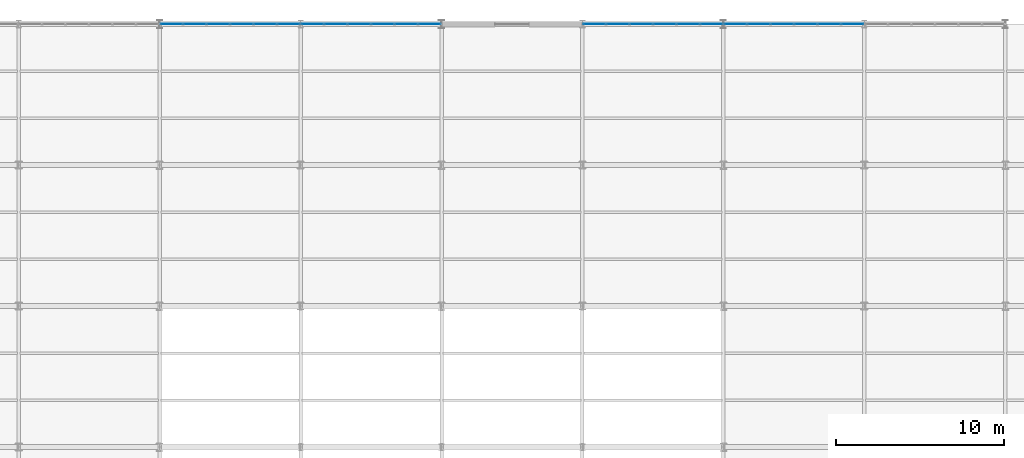
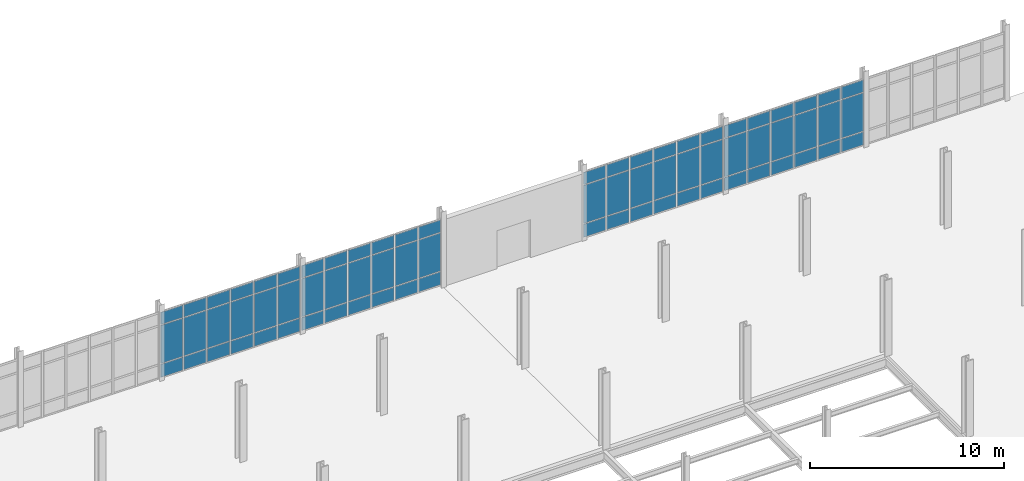
# One storey, part 118 of 145: 72 plates, 4 elements without a shape of their own.
"""IFC4 building model written with IfcOpenShell, lengths in metres."""

from ifc_helpers import new_model, si_unit, direction, frame, origin, origin_2d, place, context, subcontext, project, spatial, rectangle, extrude, material, layer, layer_set, type_object, element, aggregate, save


model = new_model("IFC4")

# Units and contexts
model_context = context("Model", 3, precision=1e-05, world=origin(), true_north=direction((0.0, 1.0)))
body_context = subcontext(model_context, "Body", "Model", "MODEL_VIEW")
ifc_project = project(units=[si_unit("LENGTHUNIT", "METRE"), si_unit("AREAUNIT", "SQUARE_METRE"), si_unit("VOLUMEUNIT", "CUBIC_METRE"), si_unit("PLANEANGLEUNIT", "RADIAN"), si_unit("MASSUNIT", "GRAM", prefix="KILO")], contexts=[model_context])

# Site, building, storey
site_placement = place(None, origin())
site = spatial("IfcSite", under=ifc_project, at=site_placement, CompositionType="ELEMENT")
building_placement = place(site_placement, origin())
building = spatial("IfcBuilding", under=site, at=building_placement, Name="Qalvenar Corner Mobility Hub", CompositionType="ELEMENT")
storey_placement = place(building_placement, origin())
storey = spatial("IfcBuildingStorey", under=building, at=storey_placement, Name="L00", CompositionType="ELEMENT", Elevation=0.0)

# Curtain wall, plates
ifc_material_1 = material(Name="Anodised Aluminium and Low-E Glazing", Category="aluminium")
ifc_layer_1 = layer(ifc_material_1, 0.14990234375)
ifc_layer_set_1 = layer_set([ifc_layer_1], Name="Anodised Aluminium and Low-E Glazing")
curtain_wall_type = type_object("IfcCurtainWallType", Name="CW-MOB-84X46", PredefinedType="NOTDEFINED", material=ifc_layer_set_1)
curtain_wall_1_placement = place(storey_placement, origin())
curtain_wall_1 = element("IfcCurtainWall", 1, at=curtain_wall_1_placement, inside=storey, type_object=curtain_wall_type, Name="Glazed Curtain Wall CW-V4-L00-N3", PredefinedType="NOTDEFINED")
ifc_material_2 = material(Name="Solar-Control Low-E Double Glazing", Category="glass")
ifc_layer_2 = layer(ifc_material_2, 0.028076171875)
ifc_layer_set_2 = layer_set([ifc_layer_2], Name="Solar-Control Low-E Double Glazing")
plate_type = type_object("IfcPlateType", Name="PLT-CWP-GLZ1", PredefinedType="CURTAIN_PANEL", material=ifc_layer_set_2)
plate_1_placement = place(storey_placement, frame((91.68505859375, 117.60009765625, 0.05517578125), z_axis=(0.0, 0.0, 1.0), x_axis=(-1.0, 0.0, 0.0)))
plate_1 = element("IfcPlate", 2, at=plate_1_placement, type_object=plate_type, Name="CW-03 panel 1.1", PredefinedType="CURTAIN_PANEL", context=body_context, shape_type="SweptSolid", body=[
    extrude(rectangle(XDim=1.31005859375, YDim=0.028076171875, at=origin_2d()), origin(), (0.0, 0.0, 1.0), 0.8173828125),
])
plate_2_placement = place(storey_placement, frame((91.68505859375, 117.60009765625, 0.927490234375), z_axis=(0.0, 0.0, 1.0), x_axis=(-1.0, 0.0, 0.0)))
plate_2 = element("IfcPlate", 3, at=plate_2_placement, type_object=plate_type, Name="CW-03 panel 1.2", PredefinedType="CURTAIN_PANEL", context=body_context, shape_type="SweptSolid", body=[
    extrude(rectangle(XDim=1.31005859375, YDim=0.028076171875, at=origin_2d()), origin(), (0.0, 0.0, 1.0), 2.39501953125),
])
plate_3_placement = place(storey_placement, frame((91.68505859375, 117.60009765625, 3.37744140625), z_axis=(0.0, 0.0, 1.0), x_axis=(-1.0, 0.0, 0.0)))
plate_3 = element("IfcPlate", 4, at=plate_3_placement, type_object=plate_type, Name="CW-03 panel 1.3", PredefinedType="CURTAIN_PANEL", context=body_context, shape_type="SweptSolid", body=[
    extrude(rectangle(XDim=1.31005859375, YDim=0.028076171875, at=origin_2d()), origin(), (0.0, 0.0, 1.0), 0.767578125),
])
plate_4_placement = place(storey_placement, frame((90.300048828125, 117.60009765625, 0.05517578125), z_axis=(0.0, 0.0, 1.0), x_axis=(-1.0, 0.0, 0.0)))
plate_4 = element("IfcPlate", 5, at=plate_4_placement, type_object=plate_type, Name="CW-03 panel 2.1", PredefinedType="CURTAIN_PANEL", context=body_context, shape_type="SweptSolid", body=[
    extrude(rectangle(XDim=1.340087890625, YDim=0.028076171875, at=origin_2d()), origin(), (0.0, 0.0, 1.0), 0.8173828125),
])
plate_5_placement = place(storey_placement, frame((90.300048828125, 117.60009765625, 0.927490234375), z_axis=(0.0, 0.0, 1.0), x_axis=(-1.0, 0.0, 0.0)))
plate_5 = element("IfcPlate", 6, at=plate_5_placement, type_object=plate_type, Name="CW-03 panel 2.2", PredefinedType="CURTAIN_PANEL", context=body_context, shape_type="SweptSolid", body=[
    extrude(rectangle(XDim=1.340087890625, YDim=0.028076171875, at=origin_2d()), origin(), (0.0, 0.0, 1.0), 2.39501953125),
])
plate_6_placement = place(storey_placement, frame((90.300048828125, 117.60009765625, 3.37744140625), z_axis=(0.0, 0.0, 1.0), x_axis=(-1.0, 0.0, 0.0)))
plate_6 = element("IfcPlate", 7, at=plate_6_placement, type_object=plate_type, Name="CW-03 panel 2.3", PredefinedType="CURTAIN_PANEL", context=body_context, shape_type="SweptSolid", body=[
    extrude(rectangle(XDim=1.340087890625, YDim=0.028076171875, at=origin_2d()), origin(), (0.0, 0.0, 1.0), 0.767578125),
])
plate_7_placement = place(storey_placement, frame((88.89990234375, 117.60009765625, 0.05517578125), z_axis=(0.0, 0.0, 1.0), x_axis=(-1.0, 0.0, 0.0)))
plate_7 = element("IfcPlate", 8, at=plate_7_placement, type_object=plate_type, Name="CW-03 panel 3.1", PredefinedType="CURTAIN_PANEL", context=body_context, shape_type="SweptSolid", body=[
    extrude(rectangle(XDim=1.340087890625, YDim=0.028076171875, at=origin_2d()), origin(), (0.0, 0.0, 1.0), 0.8173828125),
])
plate_8_placement = place(storey_placement, frame((88.89990234375, 117.60009765625, 0.927490234375), z_axis=(0.0, 0.0, 1.0), x_axis=(-1.0, 0.0, 0.0)))
plate_8 = element("IfcPlate", 9, at=plate_8_placement, type_object=plate_type, Name="CW-03 panel 3.2", PredefinedType="CURTAIN_PANEL", context=body_context, shape_type="SweptSolid", body=[
    extrude(rectangle(XDim=1.340087890625, YDim=0.028076171875, at=origin_2d()), origin(), (0.0, 0.0, 1.0), 2.39501953125),
])
plate_9_placement = place(storey_placement, frame((88.89990234375, 117.60009765625, 3.37744140625), z_axis=(0.0, 0.0, 1.0), x_axis=(-1.0, 0.0, 0.0)))
plate_9 = element("IfcPlate", 10, at=plate_9_placement, type_object=plate_type, Name="CW-03 panel 3.3", PredefinedType="CURTAIN_PANEL", context=body_context, shape_type="SweptSolid", body=[
    extrude(rectangle(XDim=1.340087890625, YDim=0.028076171875, at=origin_2d()), origin(), (0.0, 0.0, 1.0), 0.767578125),
])
plate_10_placement = place(storey_placement, frame((87.5, 117.60009765625, 0.05517578125), z_axis=(0.0, 0.0, 1.0), x_axis=(-1.0, 0.0, 0.0)))
plate_10 = element("IfcPlate", 11, at=plate_10_placement, type_object=plate_type, Name="CW-03 panel 4.1", PredefinedType="CURTAIN_PANEL", context=body_context, shape_type="SweptSolid", body=[
    extrude(rectangle(XDim=1.340087890625, YDim=0.028076171875, at=origin_2d()), origin(), (0.0, 0.0, 1.0), 0.8173828125),
])
plate_11_placement = place(storey_placement, frame((87.5, 117.60009765625, 0.927490234375), z_axis=(0.0, 0.0, 1.0), x_axis=(-1.0, 0.0, 0.0)))
plate_11 = element("IfcPlate", 12, at=plate_11_placement, type_object=plate_type, Name="CW-03 panel 4.2", PredefinedType="CURTAIN_PANEL", context=body_context, shape_type="SweptSolid", body=[
    extrude(rectangle(XDim=1.340087890625, YDim=0.028076171875, at=origin_2d()), origin(), (0.0, 0.0, 1.0), 2.39501953125),
])
plate_12_placement = place(storey_placement, frame((87.5, 117.60009765625, 3.37744140625), z_axis=(0.0, 0.0, 1.0), x_axis=(-1.0, 0.0, 0.0)))
plate_12 = element("IfcPlate", 13, at=plate_12_placement, type_object=plate_type, Name="CW-03 panel 4.3", PredefinedType="CURTAIN_PANEL", context=body_context, shape_type="SweptSolid", body=[
    extrude(rectangle(XDim=1.340087890625, YDim=0.028076171875, at=origin_2d()), origin(), (0.0, 0.0, 1.0), 0.767578125),
])
plate_13_placement = place(storey_placement, frame((86.10009765625, 117.60009765625, 0.05517578125), z_axis=(0.0, 0.0, 1.0), x_axis=(-1.0, 0.0, 0.0)))
plate_13 = element("IfcPlate", 14, at=plate_13_placement, type_object=plate_type, Name="CW-03 panel 5.1", PredefinedType="CURTAIN_PANEL", context=body_context, shape_type="SweptSolid", body=[
    extrude(rectangle(XDim=1.340087890625, YDim=0.028076171875, at=origin_2d()), origin(), (0.0, 0.0, 1.0), 0.8173828125),
])
plate_14_placement = place(storey_placement, frame((86.10009765625, 117.60009765625, 0.927490234375), z_axis=(0.0, 0.0, 1.0), x_axis=(-1.0, 0.0, 0.0)))
plate_14 = element("IfcPlate", 15, at=plate_14_placement, type_object=plate_type, Name="CW-03 panel 5.2", PredefinedType="CURTAIN_PANEL", context=body_context, shape_type="SweptSolid", body=[
    extrude(rectangle(XDim=1.340087890625, YDim=0.028076171875, at=origin_2d()), origin(), (0.0, 0.0, 1.0), 2.39501953125),
])
plate_15_placement = place(storey_placement, frame((86.10009765625, 117.60009765625, 3.37744140625), z_axis=(0.0, 0.0, 1.0), x_axis=(-1.0, 0.0, 0.0)))
plate_15 = element("IfcPlate", 16, at=plate_15_placement, type_object=plate_type, Name="CW-03 panel 5.3", PredefinedType="CURTAIN_PANEL", context=body_context, shape_type="SweptSolid", body=[
    extrude(rectangle(XDim=1.340087890625, YDim=0.028076171875, at=origin_2d()), origin(), (0.0, 0.0, 1.0), 0.767578125),
])
plate_16_placement = place(storey_placement, frame((84.715087890625, 117.60009765625, 0.05517578125), z_axis=(0.0, 0.0, 1.0), x_axis=(-1.0, 0.0, 0.0)))
plate_16 = element("IfcPlate", 17, at=plate_16_placement, type_object=plate_type, Name="CW-03 panel 6.1", PredefinedType="CURTAIN_PANEL", context=body_context, shape_type="SweptSolid", body=[
    extrude(rectangle(XDim=1.31005859375, YDim=0.028076171875, at=origin_2d()), origin(), (0.0, 0.0, 1.0), 0.8173828125),
])
plate_17_placement = place(storey_placement, frame((84.715087890625, 117.60009765625, 0.927490234375), z_axis=(0.0, 0.0, 1.0), x_axis=(-1.0, 0.0, 0.0)))
plate_17 = element("IfcPlate", 18, at=plate_17_placement, type_object=plate_type, Name="CW-03 panel 6.2", PredefinedType="CURTAIN_PANEL", context=body_context, shape_type="SweptSolid", body=[
    extrude(rectangle(XDim=1.31005859375, YDim=0.028076171875, at=origin_2d()), origin(), (0.0, 0.0, 1.0), 2.39501953125),
])
plate_18_placement = place(storey_placement, frame((84.715087890625, 117.60009765625, 3.37744140625), z_axis=(0.0, 0.0, 1.0), x_axis=(-1.0, 0.0, 0.0)))
plate_18 = element("IfcPlate", 19, at=plate_18_placement, type_object=plate_type, Name="CW-03 panel 6.3", PredefinedType="CURTAIN_PANEL", context=body_context, shape_type="SweptSolid", body=[
    extrude(rectangle(XDim=1.31005859375, YDim=0.028076171875, at=origin_2d()), origin(), (0.0, 0.0, 1.0), 0.767578125),
])
aggregate(curtain_wall_1, [plate_1, plate_2, plate_3, plate_4, plate_5, plate_6, plate_7, plate_8, plate_9, plate_10, plate_11, plate_12, plate_13, plate_14, plate_15, plate_16, plate_17, plate_18])

curtain_wall_2_placement = place(storey_placement, origin())
curtain_wall_2 = element("IfcCurtainWall", 20, at=curtain_wall_2_placement, inside=storey, type_object=curtain_wall_type, Name="Glazed Curtain Wall CW-V4-L00-N4", PredefinedType="NOTDEFINED")
plate_19_placement = place(storey_placement, frame((100.0849609375, 117.60009765625, 0.05517578125), z_axis=(0.0, 0.0, 1.0), x_axis=(-1.0, 0.0, 0.0)))
plate_19 = element("IfcPlate", 21, at=plate_19_placement, type_object=plate_type, Name="CW-03 panel 1.1", PredefinedType="CURTAIN_PANEL", context=body_context, shape_type="SweptSolid", body=[
    extrude(rectangle(XDim=1.31005859375, YDim=0.028076171875, at=origin_2d()), origin(), (0.0, 0.0, 1.0), 0.8173828125),
])
plate_20_placement = place(storey_placement, frame((100.0849609375, 117.60009765625, 0.927490234375), z_axis=(0.0, 0.0, 1.0), x_axis=(-1.0, 0.0, 0.0)))
plate_20 = element("IfcPlate", 22, at=plate_20_placement, type_object=plate_type, Name="CW-03 panel 1.2", PredefinedType="CURTAIN_PANEL", context=body_context, shape_type="SweptSolid", body=[
    extrude(rectangle(XDim=1.31005859375, YDim=0.028076171875, at=origin_2d()), origin(), (0.0, 0.0, 1.0), 2.39501953125),
])
plate_21_placement = place(storey_placement, frame((100.0849609375, 117.60009765625, 3.37744140625), z_axis=(0.0, 0.0, 1.0), x_axis=(-1.0, 0.0, 0.0)))
plate_21 = element("IfcPlate", 23, at=plate_21_placement, type_object=plate_type, Name="CW-03 panel 1.3", PredefinedType="CURTAIN_PANEL", context=body_context, shape_type="SweptSolid", body=[
    extrude(rectangle(XDim=1.31005859375, YDim=0.028076171875, at=origin_2d()), origin(), (0.0, 0.0, 1.0), 0.767578125),
])
plate_22_placement = place(storey_placement, frame((98.699951171875, 117.60009765625, 0.05517578125), z_axis=(0.0, 0.0, 1.0), x_axis=(-1.0, 0.0, 0.0)))
plate_22 = element("IfcPlate", 24, at=plate_22_placement, type_object=plate_type, Name="CW-03 panel 2.1", PredefinedType="CURTAIN_PANEL", context=body_context, shape_type="SweptSolid", body=[
    extrude(rectangle(XDim=1.340087890625, YDim=0.028076171875, at=origin_2d()), origin(), (0.0, 0.0, 1.0), 0.8173828125),
])
plate_23_placement = place(storey_placement, frame((98.699951171875, 117.60009765625, 0.927490234375), z_axis=(0.0, 0.0, 1.0), x_axis=(-1.0, 0.0, 0.0)))
plate_23 = element("IfcPlate", 25, at=plate_23_placement, type_object=plate_type, Name="CW-03 panel 2.2", PredefinedType="CURTAIN_PANEL", context=body_context, shape_type="SweptSolid", body=[
    extrude(rectangle(XDim=1.340087890625, YDim=0.028076171875, at=origin_2d()), origin(), (0.0, 0.0, 1.0), 2.39501953125),
])
plate_24_placement = place(storey_placement, frame((98.699951171875, 117.60009765625, 3.37744140625), z_axis=(0.0, 0.0, 1.0), x_axis=(-1.0, 0.0, 0.0)))
plate_24 = element("IfcPlate", 26, at=plate_24_placement, type_object=plate_type, Name="CW-03 panel 2.3", PredefinedType="CURTAIN_PANEL", context=body_context, shape_type="SweptSolid", body=[
    extrude(rectangle(XDim=1.340087890625, YDim=0.028076171875, at=origin_2d()), origin(), (0.0, 0.0, 1.0), 0.767578125),
])
plate_25_placement = place(storey_placement, frame((97.300048828125, 117.60009765625, 0.05517578125), z_axis=(0.0, 0.0, 1.0), x_axis=(-1.0, 0.0, 0.0)))
plate_25 = element("IfcPlate", 27, at=plate_25_placement, type_object=plate_type, Name="CW-03 panel 3.1", PredefinedType="CURTAIN_PANEL", context=body_context, shape_type="SweptSolid", body=[
    extrude(rectangle(XDim=1.340087890625, YDim=0.028076171875, at=origin_2d()), origin(), (0.0, 0.0, 1.0), 0.8173828125),
])
plate_26_placement = place(storey_placement, frame((97.300048828125, 117.60009765625, 0.927490234375), z_axis=(0.0, 0.0, 1.0), x_axis=(-1.0, 0.0, 0.0)))
plate_26 = element("IfcPlate", 28, at=plate_26_placement, type_object=plate_type, Name="CW-03 panel 3.2", PredefinedType="CURTAIN_PANEL", context=body_context, shape_type="SweptSolid", body=[
    extrude(rectangle(XDim=1.340087890625, YDim=0.028076171875, at=origin_2d()), origin(), (0.0, 0.0, 1.0), 2.39501953125),
])
plate_27_placement = place(storey_placement, frame((97.300048828125, 117.60009765625, 3.37744140625), z_axis=(0.0, 0.0, 1.0), x_axis=(-1.0, 0.0, 0.0)))
plate_27 = element("IfcPlate", 29, at=plate_27_placement, type_object=plate_type, Name="CW-03 panel 3.3", PredefinedType="CURTAIN_PANEL", context=body_context, shape_type="SweptSolid", body=[
    extrude(rectangle(XDim=1.340087890625, YDim=0.028076171875, at=origin_2d()), origin(), (0.0, 0.0, 1.0), 0.767578125),
])
plate_28_placement = place(storey_placement, frame((95.89990234375, 117.60009765625, 0.05517578125), z_axis=(0.0, 0.0, 1.0), x_axis=(-1.0, 0.0, 0.0)))
plate_28 = element("IfcPlate", 30, at=plate_28_placement, type_object=plate_type, Name="CW-03 panel 4.1", PredefinedType="CURTAIN_PANEL", context=body_context, shape_type="SweptSolid", body=[
    extrude(rectangle(XDim=1.340087890625, YDim=0.028076171875, at=origin_2d()), origin(), (0.0, 0.0, 1.0), 0.8173828125),
])
plate_29_placement = place(storey_placement, frame((95.89990234375, 117.60009765625, 0.927490234375), z_axis=(0.0, 0.0, 1.0), x_axis=(-1.0, 0.0, 0.0)))
plate_29 = element("IfcPlate", 31, at=plate_29_placement, type_object=plate_type, Name="CW-03 panel 4.2", PredefinedType="CURTAIN_PANEL", context=body_context, shape_type="SweptSolid", body=[
    extrude(rectangle(XDim=1.340087890625, YDim=0.028076171875, at=origin_2d()), origin(), (0.0, 0.0, 1.0), 2.39501953125),
])
plate_30_placement = place(storey_placement, frame((95.89990234375, 117.60009765625, 3.37744140625), z_axis=(0.0, 0.0, 1.0), x_axis=(-1.0, 0.0, 0.0)))
plate_30 = element("IfcPlate", 32, at=plate_30_placement, type_object=plate_type, Name="CW-03 panel 4.3", PredefinedType="CURTAIN_PANEL", context=body_context, shape_type="SweptSolid", body=[
    extrude(rectangle(XDim=1.340087890625, YDim=0.028076171875, at=origin_2d()), origin(), (0.0, 0.0, 1.0), 0.767578125),
])
plate_31_placement = place(storey_placement, frame((94.5, 117.60009765625, 0.05517578125), z_axis=(0.0, 0.0, 1.0), x_axis=(-1.0, 0.0, 0.0)))
plate_31 = element("IfcPlate", 33, at=plate_31_placement, type_object=plate_type, Name="CW-03 panel 5.1", PredefinedType="CURTAIN_PANEL", context=body_context, shape_type="SweptSolid", body=[
    extrude(rectangle(XDim=1.340087890625, YDim=0.028076171875, at=origin_2d()), origin(), (0.0, 0.0, 1.0), 0.8173828125),
])
plate_32_placement = place(storey_placement, frame((94.5, 117.60009765625, 0.927490234375), z_axis=(0.0, 0.0, 1.0), x_axis=(-1.0, 0.0, 0.0)))
plate_32 = element("IfcPlate", 34, at=plate_32_placement, type_object=plate_type, Name="CW-03 panel 5.2", PredefinedType="CURTAIN_PANEL", context=body_context, shape_type="SweptSolid", body=[
    extrude(rectangle(XDim=1.340087890625, YDim=0.028076171875, at=origin_2d()), origin(), (0.0, 0.0, 1.0), 2.39501953125),
])
plate_33_placement = place(storey_placement, frame((94.5, 117.60009765625, 3.37744140625), z_axis=(0.0, 0.0, 1.0), x_axis=(-1.0, 0.0, 0.0)))
plate_33 = element("IfcPlate", 35, at=plate_33_placement, type_object=plate_type, Name="CW-03 panel 5.3", PredefinedType="CURTAIN_PANEL", context=body_context, shape_type="SweptSolid", body=[
    extrude(rectangle(XDim=1.340087890625, YDim=0.028076171875, at=origin_2d()), origin(), (0.0, 0.0, 1.0), 0.767578125),
])
plate_34_placement = place(storey_placement, frame((93.114990234375, 117.60009765625, 0.05517578125), z_axis=(0.0, 0.0, 1.0), x_axis=(-1.0, 0.0, 0.0)))
plate_34 = element("IfcPlate", 36, at=plate_34_placement, type_object=plate_type, Name="CW-03 panel 6.1", PredefinedType="CURTAIN_PANEL", context=body_context, shape_type="SweptSolid", body=[
    extrude(rectangle(XDim=1.31005859375, YDim=0.028076171875, at=origin_2d()), origin(), (0.0, 0.0, 1.0), 0.8173828125),
])
plate_35_placement = place(storey_placement, frame((93.114990234375, 117.60009765625, 0.927490234375), z_axis=(0.0, 0.0, 1.0), x_axis=(-1.0, 0.0, 0.0)))
plate_35 = element("IfcPlate", 37, at=plate_35_placement, type_object=plate_type, Name="CW-03 panel 6.2", PredefinedType="CURTAIN_PANEL", context=body_context, shape_type="SweptSolid", body=[
    extrude(rectangle(XDim=1.31005859375, YDim=0.028076171875, at=origin_2d()), origin(), (0.0, 0.0, 1.0), 2.39501953125),
])
plate_36_placement = place(storey_placement, frame((93.114990234375, 117.60009765625, 3.37744140625), z_axis=(0.0, 0.0, 1.0), x_axis=(-1.0, 0.0, 0.0)))
plate_36 = element("IfcPlate", 38, at=plate_36_placement, type_object=plate_type, Name="CW-03 panel 6.3", PredefinedType="CURTAIN_PANEL", context=body_context, shape_type="SweptSolid", body=[
    extrude(rectangle(XDim=1.31005859375, YDim=0.028076171875, at=origin_2d()), origin(), (0.0, 0.0, 1.0), 0.767578125),
])
aggregate(curtain_wall_2, [plate_19, plate_20, plate_21, plate_22, plate_23, plate_24, plate_25, plate_26, plate_27, plate_28, plate_29, plate_30, plate_31, plate_32, plate_33, plate_34, plate_35, plate_36])

curtain_wall_3_placement = place(storey_placement, origin())
curtain_wall_3 = element("IfcCurtainWall", 39, at=curtain_wall_3_placement, inside=storey, type_object=curtain_wall_type, Name="Glazed Curtain Wall CW-V4-L00-N6", PredefinedType="NOTDEFINED")
plate_37_placement = place(storey_placement, frame((116.885009765625, 117.60009765625, 0.05517578125), z_axis=(0.0, 0.0, 1.0), x_axis=(-1.0, 0.0, 0.0)))
plate_37 = element("IfcPlate", 40, at=plate_37_placement, type_object=plate_type, Name="CW-03 panel 1.1", PredefinedType="CURTAIN_PANEL", context=body_context, shape_type="SweptSolid", body=[
    extrude(rectangle(XDim=1.31005859375, YDim=0.028076171875, at=origin_2d()), origin(), (0.0, 0.0, 1.0), 0.8173828125),
])
plate_38_placement = place(storey_placement, frame((116.885009765625, 117.60009765625, 0.927490234375), z_axis=(0.0, 0.0, 1.0), x_axis=(-1.0, 0.0, 0.0)))
plate_38 = element("IfcPlate", 41, at=plate_38_placement, type_object=plate_type, Name="CW-03 panel 1.2", PredefinedType="CURTAIN_PANEL", context=body_context, shape_type="SweptSolid", body=[
    extrude(rectangle(XDim=1.31005859375, YDim=0.028076171875, at=origin_2d()), origin(), (0.0, 0.0, 1.0), 2.39501953125),
])
plate_39_placement = place(storey_placement, frame((116.885009765625, 117.60009765625, 3.37744140625), z_axis=(0.0, 0.0, 1.0), x_axis=(-1.0, 0.0, 0.0)))
plate_39 = element("IfcPlate", 42, at=plate_39_placement, type_object=plate_type, Name="CW-03 panel 1.3", PredefinedType="CURTAIN_PANEL", context=body_context, shape_type="SweptSolid", body=[
    extrude(rectangle(XDim=1.31005859375, YDim=0.028076171875, at=origin_2d()), origin(), (0.0, 0.0, 1.0), 0.767578125),
])
plate_40_placement = place(storey_placement, frame((115.5, 117.60009765625, 0.05517578125), z_axis=(0.0, 0.0, 1.0), x_axis=(-1.0, 0.0, 0.0)))
plate_40 = element("IfcPlate", 43, at=plate_40_placement, type_object=plate_type, Name="CW-03 panel 2.1", PredefinedType="CURTAIN_PANEL", context=body_context, shape_type="SweptSolid", body=[
    extrude(rectangle(XDim=1.340087890625, YDim=0.028076171875, at=origin_2d()), origin(), (0.0, 0.0, 1.0), 0.8173828125),
])
plate_41_placement = place(storey_placement, frame((115.5, 117.60009765625, 0.927490234375), z_axis=(0.0, 0.0, 1.0), x_axis=(-1.0, 0.0, 0.0)))
plate_41 = element("IfcPlate", 44, at=plate_41_placement, type_object=plate_type, Name="CW-03 panel 2.2", PredefinedType="CURTAIN_PANEL", context=body_context, shape_type="SweptSolid", body=[
    extrude(rectangle(XDim=1.340087890625, YDim=0.028076171875, at=origin_2d()), origin(), (0.0, 0.0, 1.0), 2.39501953125),
])
plate_42_placement = place(storey_placement, frame((115.5, 117.60009765625, 3.37744140625), z_axis=(0.0, 0.0, 1.0), x_axis=(-1.0, 0.0, 0.0)))
plate_42 = element("IfcPlate", 45, at=plate_42_placement, type_object=plate_type, Name="CW-03 panel 2.3", PredefinedType="CURTAIN_PANEL", context=body_context, shape_type="SweptSolid", body=[
    extrude(rectangle(XDim=1.340087890625, YDim=0.028076171875, at=origin_2d()), origin(), (0.0, 0.0, 1.0), 0.767578125),
])
plate_43_placement = place(storey_placement, frame((114.10009765625, 117.60009765625, 0.05517578125), z_axis=(0.0, 0.0, 1.0), x_axis=(-1.0, 0.0, 0.0)))
plate_43 = element("IfcPlate", 46, at=plate_43_placement, type_object=plate_type, Name="CW-03 panel 3.1", PredefinedType="CURTAIN_PANEL", context=body_context, shape_type="SweptSolid", body=[
    extrude(rectangle(XDim=1.340087890625, YDim=0.028076171875, at=origin_2d()), origin(), (0.0, 0.0, 1.0), 0.8173828125),
])
plate_44_placement = place(storey_placement, frame((114.10009765625, 117.60009765625, 0.927490234375), z_axis=(0.0, 0.0, 1.0), x_axis=(-1.0, 0.0, 0.0)))
plate_44 = element("IfcPlate", 47, at=plate_44_placement, type_object=plate_type, Name="CW-03 panel 3.2", PredefinedType="CURTAIN_PANEL", context=body_context, shape_type="SweptSolid", body=[
    extrude(rectangle(XDim=1.340087890625, YDim=0.028076171875, at=origin_2d()), origin(), (0.0, 0.0, 1.0), 2.39501953125),
])
plate_45_placement = place(storey_placement, frame((114.10009765625, 117.60009765625, 3.37744140625), z_axis=(0.0, 0.0, 1.0), x_axis=(-1.0, 0.0, 0.0)))
plate_45 = element("IfcPlate", 48, at=plate_45_placement, type_object=plate_type, Name="CW-03 panel 3.3", PredefinedType="CURTAIN_PANEL", context=body_context, shape_type="SweptSolid", body=[
    extrude(rectangle(XDim=1.340087890625, YDim=0.028076171875, at=origin_2d()), origin(), (0.0, 0.0, 1.0), 0.767578125),
])
plate_46_placement = place(storey_placement, frame((112.699951171875, 117.60009765625, 0.05517578125), z_axis=(0.0, 0.0, 1.0), x_axis=(-1.0, 0.0, 0.0)))
plate_46 = element("IfcPlate", 49, at=plate_46_placement, type_object=plate_type, Name="CW-03 panel 4.1", PredefinedType="CURTAIN_PANEL", context=body_context, shape_type="SweptSolid", body=[
    extrude(rectangle(XDim=1.340087890625, YDim=0.028076171875, at=origin_2d()), origin(), (0.0, 0.0, 1.0), 0.8173828125),
])
plate_47_placement = place(storey_placement, frame((112.699951171875, 117.60009765625, 0.927490234375), z_axis=(0.0, 0.0, 1.0), x_axis=(-1.0, 0.0, 0.0)))
plate_47 = element("IfcPlate", 50, at=plate_47_placement, type_object=plate_type, Name="CW-03 panel 4.2", PredefinedType="CURTAIN_PANEL", context=body_context, shape_type="SweptSolid", body=[
    extrude(rectangle(XDim=1.340087890625, YDim=0.028076171875, at=origin_2d()), origin(), (0.0, 0.0, 1.0), 2.39501953125),
])
plate_48_placement = place(storey_placement, frame((112.699951171875, 117.60009765625, 3.37744140625), z_axis=(0.0, 0.0, 1.0), x_axis=(-1.0, 0.0, 0.0)))
plate_48 = element("IfcPlate", 51, at=plate_48_placement, type_object=plate_type, Name="CW-03 panel 4.3", PredefinedType="CURTAIN_PANEL", context=body_context, shape_type="SweptSolid", body=[
    extrude(rectangle(XDim=1.340087890625, YDim=0.028076171875, at=origin_2d()), origin(), (0.0, 0.0, 1.0), 0.767578125),
])
plate_49_placement = place(storey_placement, frame((111.300048828125, 117.60009765625, 0.05517578125), z_axis=(0.0, 0.0, 1.0), x_axis=(-1.0, 0.0, 0.0)))
plate_49 = element("IfcPlate", 52, at=plate_49_placement, type_object=plate_type, Name="CW-03 panel 5.1", PredefinedType="CURTAIN_PANEL", context=body_context, shape_type="SweptSolid", body=[
    extrude(rectangle(XDim=1.340087890625, YDim=0.028076171875, at=origin_2d()), origin(), (0.0, 0.0, 1.0), 0.8173828125),
])
plate_50_placement = place(storey_placement, frame((111.300048828125, 117.60009765625, 0.927490234375), z_axis=(0.0, 0.0, 1.0), x_axis=(-1.0, 0.0, 0.0)))
plate_50 = element("IfcPlate", 53, at=plate_50_placement, type_object=plate_type, Name="CW-03 panel 5.2", PredefinedType="CURTAIN_PANEL", context=body_context, shape_type="SweptSolid", body=[
    extrude(rectangle(XDim=1.340087890625, YDim=0.028076171875, at=origin_2d()), origin(), (0.0, 0.0, 1.0), 2.39501953125),
])
plate_51_placement = place(storey_placement, frame((111.300048828125, 117.60009765625, 3.37744140625), z_axis=(0.0, 0.0, 1.0), x_axis=(-1.0, 0.0, 0.0)))
plate_51 = element("IfcPlate", 54, at=plate_51_placement, type_object=plate_type, Name="CW-03 panel 5.3", PredefinedType="CURTAIN_PANEL", context=body_context, shape_type="SweptSolid", body=[
    extrude(rectangle(XDim=1.340087890625, YDim=0.028076171875, at=origin_2d()), origin(), (0.0, 0.0, 1.0), 0.767578125),
])
plate_52_placement = place(storey_placement, frame((109.9150390625, 117.60009765625, 0.05517578125), z_axis=(0.0, 0.0, 1.0), x_axis=(-1.0, 0.0, 0.0)))
plate_52 = element("IfcPlate", 55, at=plate_52_placement, type_object=plate_type, Name="CW-03 panel 6.1", PredefinedType="CURTAIN_PANEL", context=body_context, shape_type="SweptSolid", body=[
    extrude(rectangle(XDim=1.31005859375, YDim=0.028076171875, at=origin_2d()), origin(), (0.0, 0.0, 1.0), 0.8173828125),
])
plate_53_placement = place(storey_placement, frame((109.9150390625, 117.60009765625, 0.927490234375), z_axis=(0.0, 0.0, 1.0), x_axis=(-1.0, 0.0, 0.0)))
plate_53 = element("IfcPlate", 56, at=plate_53_placement, type_object=plate_type, Name="CW-03 panel 6.2", PredefinedType="CURTAIN_PANEL", context=body_context, shape_type="SweptSolid", body=[
    extrude(rectangle(XDim=1.31005859375, YDim=0.028076171875, at=origin_2d()), origin(), (0.0, 0.0, 1.0), 2.39501953125),
])
plate_54_placement = place(storey_placement, frame((109.9150390625, 117.60009765625, 3.37744140625), z_axis=(0.0, 0.0, 1.0), x_axis=(-1.0, 0.0, 0.0)))
plate_54 = element("IfcPlate", 57, at=plate_54_placement, type_object=plate_type, Name="CW-03 panel 6.3", PredefinedType="CURTAIN_PANEL", context=body_context, shape_type="SweptSolid", body=[
    extrude(rectangle(XDim=1.31005859375, YDim=0.028076171875, at=origin_2d()), origin(), (0.0, 0.0, 1.0), 0.767578125),
])
aggregate(curtain_wall_3, [plate_37, plate_38, plate_39, plate_40, plate_41, plate_42, plate_43, plate_44, plate_45, plate_46, plate_47, plate_48, plate_49, plate_50, plate_51, plate_52, plate_53, plate_54])

curtain_wall_4_placement = place(storey_placement, origin())
curtain_wall_4 = element("IfcCurtainWall", 58, at=curtain_wall_4_placement, inside=storey, type_object=curtain_wall_type, Name="Glazed Curtain Wall CW-V4-L00-N7", PredefinedType="NOTDEFINED")
plate_55_placement = place(storey_placement, frame((125.284912109375, 117.60009765625, 0.05517578125), z_axis=(0.0, 0.0, 1.0), x_axis=(-1.0, 0.0, 0.0)))
plate_55 = element("IfcPlate", 59, at=plate_55_placement, type_object=plate_type, Name="CW-03 panel 1.1", PredefinedType="CURTAIN_PANEL", context=body_context, shape_type="SweptSolid", body=[
    extrude(rectangle(XDim=1.31005859375, YDim=0.028076171875, at=origin_2d()), origin(), (0.0, 0.0, 1.0), 0.8173828125),
])
plate_56_placement = place(storey_placement, frame((125.284912109375, 117.60009765625, 0.927490234375), z_axis=(0.0, 0.0, 1.0), x_axis=(-1.0, 0.0, 0.0)))
plate_56 = element("IfcPlate", 60, at=plate_56_placement, type_object=plate_type, Name="CW-03 panel 1.2", PredefinedType="CURTAIN_PANEL", context=body_context, shape_type="SweptSolid", body=[
    extrude(rectangle(XDim=1.31005859375, YDim=0.028076171875, at=origin_2d()), origin(), (0.0, 0.0, 1.0), 2.39501953125),
])
plate_57_placement = place(storey_placement, frame((125.284912109375, 117.60009765625, 3.37744140625), z_axis=(0.0, 0.0, 1.0), x_axis=(-1.0, 0.0, 0.0)))
plate_57 = element("IfcPlate", 61, at=plate_57_placement, type_object=plate_type, Name="CW-03 panel 1.3", PredefinedType="CURTAIN_PANEL", context=body_context, shape_type="SweptSolid", body=[
    extrude(rectangle(XDim=1.31005859375, YDim=0.028076171875, at=origin_2d()), origin(), (0.0, 0.0, 1.0), 0.767578125),
])
plate_58_placement = place(storey_placement, frame((123.89990234375, 117.60009765625, 0.05517578125), z_axis=(0.0, 0.0, 1.0), x_axis=(-1.0, 0.0, 0.0)))
plate_58 = element("IfcPlate", 62, at=plate_58_placement, type_object=plate_type, Name="CW-03 panel 2.1", PredefinedType="CURTAIN_PANEL", context=body_context, shape_type="SweptSolid", body=[
    extrude(rectangle(XDim=1.340087890625, YDim=0.028076171875, at=origin_2d()), origin(), (0.0, 0.0, 1.0), 0.8173828125),
])
plate_59_placement = place(storey_placement, frame((123.89990234375, 117.60009765625, 0.927490234375), z_axis=(0.0, 0.0, 1.0), x_axis=(-1.0, 0.0, 0.0)))
plate_59 = element("IfcPlate", 63, at=plate_59_placement, type_object=plate_type, Name="CW-03 panel 2.2", PredefinedType="CURTAIN_PANEL", context=body_context, shape_type="SweptSolid", body=[
    extrude(rectangle(XDim=1.340087890625, YDim=0.028076171875, at=origin_2d()), origin(), (0.0, 0.0, 1.0), 2.39501953125),
])
plate_60_placement = place(storey_placement, frame((123.89990234375, 117.60009765625, 3.37744140625), z_axis=(0.0, 0.0, 1.0), x_axis=(-1.0, 0.0, 0.0)))
plate_60 = element("IfcPlate", 64, at=plate_60_placement, type_object=plate_type, Name="CW-03 panel 2.3", PredefinedType="CURTAIN_PANEL", context=body_context, shape_type="SweptSolid", body=[
    extrude(rectangle(XDim=1.340087890625, YDim=0.028076171875, at=origin_2d()), origin(), (0.0, 0.0, 1.0), 0.767578125),
])
plate_61_placement = place(storey_placement, frame((122.5, 117.60009765625, 0.05517578125), z_axis=(0.0, 0.0, 1.0), x_axis=(-1.0, 0.0, 0.0)))
plate_61 = element("IfcPlate", 65, at=plate_61_placement, type_object=plate_type, Name="CW-03 panel 3.1", PredefinedType="CURTAIN_PANEL", context=body_context, shape_type="SweptSolid", body=[
    extrude(rectangle(XDim=1.340087890625, YDim=0.028076171875, at=origin_2d()), origin(), (0.0, 0.0, 1.0), 0.8173828125),
])
plate_62_placement = place(storey_placement, frame((122.5, 117.60009765625, 0.927490234375), z_axis=(0.0, 0.0, 1.0), x_axis=(-1.0, 0.0, 0.0)))
plate_62 = element("IfcPlate", 66, at=plate_62_placement, type_object=plate_type, Name="CW-03 panel 3.2", PredefinedType="CURTAIN_PANEL", context=body_context, shape_type="SweptSolid", body=[
    extrude(rectangle(XDim=1.340087890625, YDim=0.028076171875, at=origin_2d()), origin(), (0.0, 0.0, 1.0), 2.39501953125),
])
plate_63_placement = place(storey_placement, frame((122.5, 117.60009765625, 3.37744140625), z_axis=(0.0, 0.0, 1.0), x_axis=(-1.0, 0.0, 0.0)))
plate_63 = element("IfcPlate", 67, at=plate_63_placement, type_object=plate_type, Name="CW-03 panel 3.3", PredefinedType="CURTAIN_PANEL", context=body_context, shape_type="SweptSolid", body=[
    extrude(rectangle(XDim=1.340087890625, YDim=0.028076171875, at=origin_2d()), origin(), (0.0, 0.0, 1.0), 0.767578125),
])
plate_64_placement = place(storey_placement, frame((121.10009765625, 117.60009765625, 0.05517578125), z_axis=(0.0, 0.0, 1.0), x_axis=(-1.0, 0.0, 0.0)))
plate_64 = element("IfcPlate", 68, at=plate_64_placement, type_object=plate_type, Name="CW-03 panel 4.1", PredefinedType="CURTAIN_PANEL", context=body_context, shape_type="SweptSolid", body=[
    extrude(rectangle(XDim=1.340087890625, YDim=0.028076171875, at=origin_2d()), origin(), (0.0, 0.0, 1.0), 0.8173828125),
])
plate_65_placement = place(storey_placement, frame((121.10009765625, 117.60009765625, 0.927490234375), z_axis=(0.0, 0.0, 1.0), x_axis=(-1.0, 0.0, 0.0)))
plate_65 = element("IfcPlate", 69, at=plate_65_placement, type_object=plate_type, Name="CW-03 panel 4.2", PredefinedType="CURTAIN_PANEL", context=body_context, shape_type="SweptSolid", body=[
    extrude(rectangle(XDim=1.340087890625, YDim=0.028076171875, at=origin_2d()), origin(), (0.0, 0.0, 1.0), 2.39501953125),
])
plate_66_placement = place(storey_placement, frame((121.10009765625, 117.60009765625, 3.37744140625), z_axis=(0.0, 0.0, 1.0), x_axis=(-1.0, 0.0, 0.0)))
plate_66 = element("IfcPlate", 70, at=plate_66_placement, type_object=plate_type, Name="CW-03 panel 4.3", PredefinedType="CURTAIN_PANEL", context=body_context, shape_type="SweptSolid", body=[
    extrude(rectangle(XDim=1.340087890625, YDim=0.028076171875, at=origin_2d()), origin(), (0.0, 0.0, 1.0), 0.767578125),
])
plate_67_placement = place(storey_placement, frame((119.699951171875, 117.60009765625, 0.05517578125), z_axis=(0.0, 0.0, 1.0), x_axis=(-1.0, 0.0, 0.0)))
plate_67 = element("IfcPlate", 71, at=plate_67_placement, type_object=plate_type, Name="CW-03 panel 5.1", PredefinedType="CURTAIN_PANEL", context=body_context, shape_type="SweptSolid", body=[
    extrude(rectangle(XDim=1.340087890625, YDim=0.028076171875, at=origin_2d()), origin(), (0.0, 0.0, 1.0), 0.8173828125),
])
plate_68_placement = place(storey_placement, frame((119.699951171875, 117.60009765625, 0.927490234375), z_axis=(0.0, 0.0, 1.0), x_axis=(-1.0, 0.0, 0.0)))
plate_68 = element("IfcPlate", 72, at=plate_68_placement, type_object=plate_type, Name="CW-03 panel 5.2", PredefinedType="CURTAIN_PANEL", context=body_context, shape_type="SweptSolid", body=[
    extrude(rectangle(XDim=1.340087890625, YDim=0.028076171875, at=origin_2d()), origin(), (0.0, 0.0, 1.0), 2.39501953125),
])
plate_69_placement = place(storey_placement, frame((119.699951171875, 117.60009765625, 3.37744140625), z_axis=(0.0, 0.0, 1.0), x_axis=(-1.0, 0.0, 0.0)))
plate_69 = element("IfcPlate", 73, at=plate_69_placement, type_object=plate_type, Name="CW-03 panel 5.3", PredefinedType="CURTAIN_PANEL", context=body_context, shape_type="SweptSolid", body=[
    extrude(rectangle(XDim=1.340087890625, YDim=0.028076171875, at=origin_2d()), origin(), (0.0, 0.0, 1.0), 0.767578125),
])
plate_70_placement = place(storey_placement, frame((118.31494140625, 117.60009765625, 0.05517578125), z_axis=(0.0, 0.0, 1.0), x_axis=(-1.0, 0.0, 0.0)))
plate_70 = element("IfcPlate", 74, at=plate_70_placement, type_object=plate_type, Name="CW-03 panel 6.1", PredefinedType="CURTAIN_PANEL", context=body_context, shape_type="SweptSolid", body=[
    extrude(rectangle(XDim=1.31005859375, YDim=0.028076171875, at=origin_2d()), origin(), (0.0, 0.0, 1.0), 0.8173828125),
])
plate_71_placement = place(storey_placement, frame((118.31494140625, 117.60009765625, 0.927490234375), z_axis=(0.0, 0.0, 1.0), x_axis=(-1.0, 0.0, 0.0)))
plate_71 = element("IfcPlate", 75, at=plate_71_placement, type_object=plate_type, Name="CW-03 panel 6.2", PredefinedType="CURTAIN_PANEL", context=body_context, shape_type="SweptSolid", body=[
    extrude(rectangle(XDim=1.31005859375, YDim=0.028076171875, at=origin_2d()), origin(), (0.0, 0.0, 1.0), 2.39501953125),
])
plate_72_placement = place(storey_placement, frame((118.31494140625, 117.60009765625, 3.37744140625), z_axis=(0.0, 0.0, 1.0), x_axis=(-1.0, 0.0, 0.0)))
plate_72 = element("IfcPlate", 76, at=plate_72_placement, type_object=plate_type, Name="CW-03 panel 6.3", PredefinedType="CURTAIN_PANEL", context=body_context, shape_type="SweptSolid", body=[
    extrude(rectangle(XDim=1.31005859375, YDim=0.028076171875, at=origin_2d()), origin(), (0.0, 0.0, 1.0), 0.767578125),
])
aggregate(curtain_wall_4, [plate_55, plate_56, plate_57, plate_58, plate_59, plate_60, plate_61, plate_62, plate_63, plate_64, plate_65, plate_66, plate_67, plate_68, plate_69, plate_70, plate_71, plate_72])

save(model, "model.ifc")
